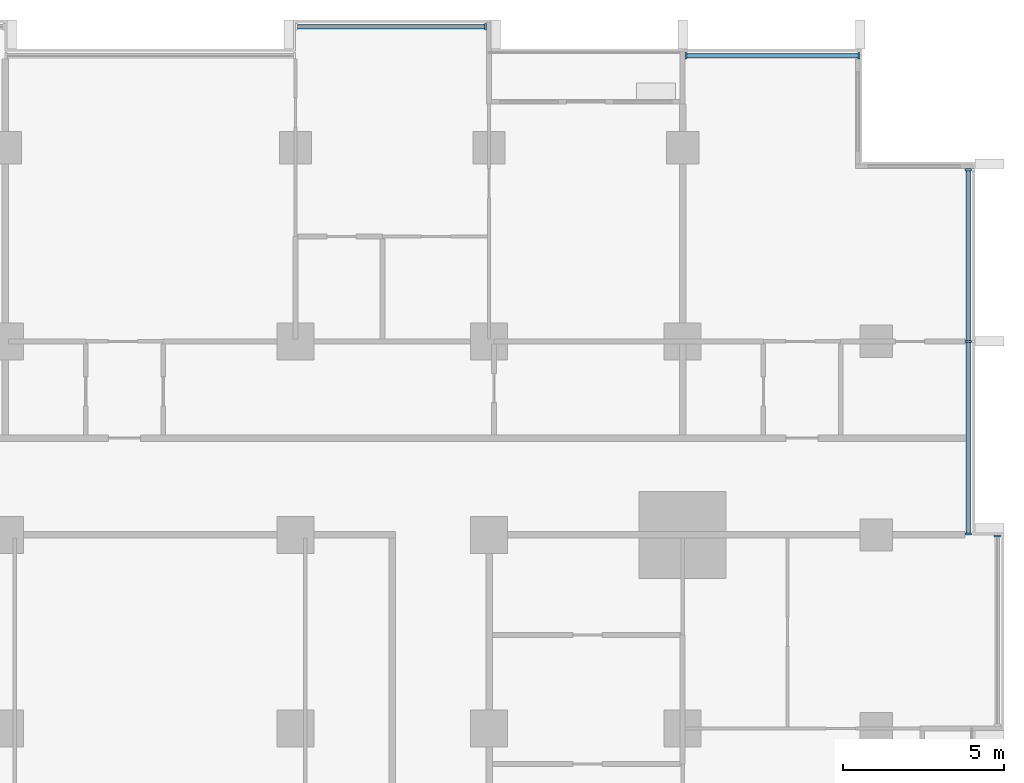
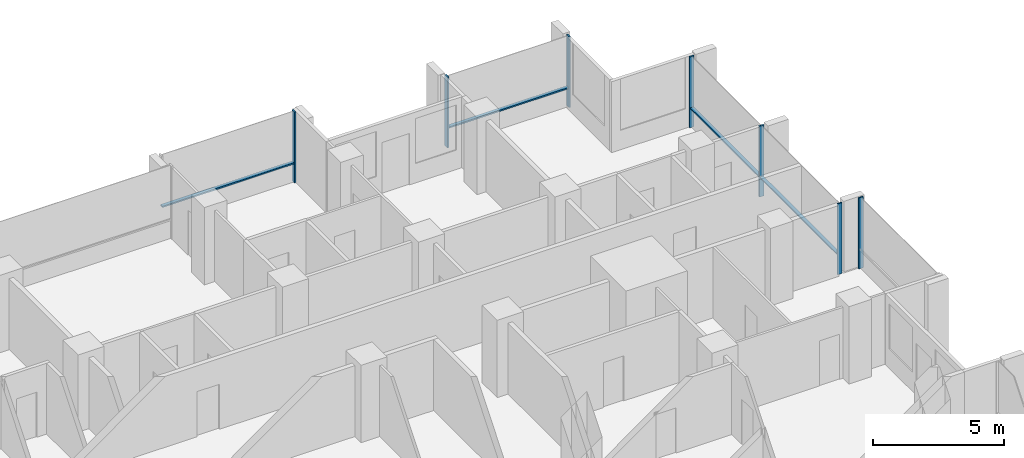
# One storey, part 5 of 18: 11 members, 4 elements without a shape of their own.
"""IFC4 building model written with IfcOpenShell, lengths in metres."""

from ifc_helpers import new_model, si_unit, direction, frame, origin, origin_2d, place, context, subcontext, project, spatial, rectangle, extrude, material, material_profile, profile_set, type_object, element, aggregate, save


model = new_model("IFC4")

# Units and contexts
model_context = context("Model", 3, precision=1e-05, world=origin(), true_north=direction((0.0, 1.0)))
body_context = subcontext(model_context, "Body", "Model", "MODEL_VIEW")
ifc_project = project(units=[si_unit("LENGTHUNIT", "METRE"), si_unit("AREAUNIT", "SQUARE_METRE"), si_unit("VOLUMEUNIT", "CUBIC_METRE"), si_unit("PLANEANGLEUNIT", "RADIAN"), si_unit("MASSUNIT", "GRAM", prefix="KILO")], contexts=[model_context])

# Site, building, storey
site_placement = place(None, origin())
site = spatial("IfcSite", under=ifc_project, at=site_placement, CompositionType="ELEMENT")
building_placement = place(site_placement, origin())
building = spatial("IfcBuilding", under=site, at=building_placement, Name="Finial Court Residences", CompositionType="ELEMENT")
storey_placement = place(building_placement, frame((0.0, 0.0, 84.699951171875)))
storey = spatial("IfcBuildingStorey", under=building, at=storey_placement, Name="L20", CompositionType="ELEMENT", Elevation=84.699951171875)

# Curtain wall, member
ifc_material = material(Name="Bronze anodised aluminium", Category="aluminium")
curtain_wall_type = type_object("IfcCurtainWallType", Name="Unitised curtain wall, lower and middle zones", PredefinedType="NOTDEFINED", material=ifc_material)
curtain_wall_1_placement = place(storey_placement, origin())
curtain_wall_1 = element("IfcCurtainWall", 1, at=curtain_wall_1_placement, inside=storey, type_object=curtain_wall_type, Name="E-L20-CW-N4", PredefinedType="NOTDEFINED")
ifc_material_profile_1 = material_profile(ifc_material, rectangle(XDim=0.199951171875, YDim=0.06494140625, at=origin_2d()), Name="CW1 mullion 65 x 200")
ifc_profile_set_1 = profile_set([ifc_material_profile_1], Name="Bronze anodised aluminium")
member_type_1 = type_object("IfcMemberType", Name="CW1 mullion 65 x 200", PredefinedType="MULLION", material=ifc_profile_set_1)
member_1_placement = place(storey_placement, frame((10.392578125, 23.25, 0.0), z_axis=(0.0, 0.0, 1.0), x_axis=(0.0, 1.0, 0.0)))
member_1 = element("IfcMember", 2, at=member_1_placement, type_object=member_type_1, Name="CW1 mullion 2", PredefinedType="MULLION", context=body_context, shape_type="SweptSolid", body=[
    extrude(rectangle(XDim=0.199951171875, YDim=0.06494140625, at=origin_2d()), origin(), (0.0, 0.0, 1.0), 3.300048828125),
])

# Curtain wall, members
curtain_wall_2_placement = place(storey_placement, origin())
curtain_wall_2 = element("IfcCurtainWall", 3, at=curtain_wall_2_placement, inside=storey, type_object=curtain_wall_type, Name="E-L20-CW-N5", PredefinedType="NOTDEFINED")
member_2_placement = place(storey_placement, frame((16.607421875, 22.35009765625, 0.0), z_axis=(0.0, 0.0, 1.0), x_axis=(0.0, 1.0, 0.0)))
member_2 = element("IfcMember", 4, at=member_2_placement, type_object=member_type_1, Name="CW1 mullion 1", PredefinedType="MULLION", context=body_context, shape_type="SweptSolid", body=[
    extrude(rectangle(XDim=0.199951171875, YDim=0.06494140625, at=origin_2d()), origin(), (0.0, 0.0, 1.0), 3.300048828125),
])
member_3_placement = place(storey_placement, frame((21.967529296875, 22.35009765625, 0.0), z_axis=(0.0, 0.0, 1.0), x_axis=(0.0, 1.0, 0.0)))
member_3 = element("IfcMember", 5, at=member_3_placement, type_object=member_type_1, Name="CW1 mullion 2", PredefinedType="MULLION", context=body_context, shape_type="SweptSolid", body=[
    extrude(rectangle(XDim=0.199951171875, YDim=0.06494140625, at=origin_2d()), origin(), (0.0, 0.0, 1.0), 3.300048828125),
])

# Curtain wall, member
curtain_wall_3_placement = place(storey_placement, origin())
curtain_wall_3 = element("IfcCurtainWall", 6, at=curtain_wall_3_placement, inside=storey, type_object=curtain_wall_type, Name="E-L20-CW-E7", PredefinedType="NOTDEFINED")
member_4_placement = place(storey_placement, frame((26.25, 7.467529296875, 0.0), z_axis=(0.0, 0.0, 1.0), x_axis=(-1.0, 0.0, 0.0)))
member_4 = element("IfcMember", 7, at=member_4_placement, type_object=member_type_1, Name="CW1 mullion 2", PredefinedType="MULLION", context=body_context, shape_type="SweptSolid", body=[
    extrude(rectangle(XDim=0.199951171875, YDim=0.06494140625, at=origin_2d()), origin(), (0.0, 0.0, 1.0), 3.300048828125),
])
aggregate(curtain_wall_3, [member_4])

# Curtain wall, members
curtain_wall_4_placement = place(storey_placement, origin())
curtain_wall_4 = element("IfcCurtainWall", 8, at=curtain_wall_4_placement, inside=storey, type_object=curtain_wall_type, Name="E-L20-CW-E8", PredefinedType="NOTDEFINED")
member_5_placement = place(storey_placement, frame((25.35009765625, 7.532470703125, 0.0), z_axis=(0.0, 0.0, 1.0), x_axis=(-1.0, 0.0, 0.0)))
member_5 = element("IfcMember", 9, at=member_5_placement, type_object=member_type_1, Name="CW1 mullion 1", PredefinedType="MULLION", context=body_context, shape_type="SweptSolid", body=[
    extrude(rectangle(XDim=0.199951171875, YDim=0.06494140625, at=origin_2d()), origin(), (0.0, 0.0, 1.0), 3.300048828125),
])
member_6_placement = place(storey_placement, frame((25.35009765625, 13.5, 0.0), z_axis=(0.0, 0.0, 1.0), x_axis=(-1.0, 0.0, 0.0)))
member_6 = element("IfcMember", 10, at=member_6_placement, type_object=member_type_1, Name="CW1 mullion 2", PredefinedType="MULLION", context=body_context, shape_type="SweptSolid", body=[
    extrude(rectangle(XDim=0.199951171875, YDim=0.06494140625, at=origin_2d()), origin(), (0.0, 0.0, 1.0), 3.300048828125),
])
member_7_placement = place(storey_placement, frame((25.35009765625, 18.8173828125, 0.0), z_axis=(0.0, 0.0, 1.0), x_axis=(-1.0, 0.0, 0.0)))
member_7 = element("IfcMember", 11, at=member_7_placement, type_object=member_type_1, Name="CW1 mullion 3", PredefinedType="MULLION", context=body_context, shape_type="SweptSolid", body=[
    extrude(rectangle(XDim=0.199951171875, YDim=0.06494140625, at=origin_2d()), origin(), (0.0, 0.0, 1.0), 3.300048828125),
])

# Member
ifc_material_profile_2 = material_profile(ifc_material, rectangle(XDim=0.14990234375, YDim=0.06494140625, at=origin_2d()), Name="CW1 transom 65 x 150")
ifc_profile_set_2 = profile_set([ifc_material_profile_2], Name="Bronze anodised aluminium")
member_type_2 = type_object("IfcMemberType", Name="CW1 transom 65 x 150", PredefinedType="USERDEFINED", material=ifc_profile_set_2)
member_8_placement = place(storey_placement, frame((4.56494140625, 23.25, 0.900146484375), z_axis=(1.0, 0.0, 0.0), x_axis=(0.0, 1.0, 0.0)))
member_8 = element("IfcMember", 12, at=member_8_placement, type_object=member_type_2, Name="CW1 transom 1.1", ObjectType="TRANSOM", PredefinedType="USERDEFINED", context=body_context, shape_type="SweptSolid", body=[
    extrude(rectangle(XDim=0.14990234375, YDim=0.06494140625, at=origin_2d()), origin(), (0.0, 0.0, 1.0), 5.795166015625),
])

aggregate(curtain_wall_1, [member_1, member_8])

member_9_placement = place(storey_placement, frame((16.639892578125, 22.35009765625, 0.900146484375), z_axis=(1.0, 0.0, 0.0), x_axis=(0.0, 1.0, 0.0)))
member_9 = element("IfcMember", 13, at=member_9_placement, type_object=member_type_2, Name="CW1 transom 1.1", ObjectType="TRANSOM", PredefinedType="USERDEFINED", context=body_context, shape_type="SweptSolid", body=[
    extrude(rectangle(XDim=0.14990234375, YDim=0.06494140625, at=origin_2d()), origin(), (0.0, 0.0, 1.0), 5.295166015625),
])

aggregate(curtain_wall_2, [member_2, member_3, member_9])

member_10_placement = place(storey_placement, frame((25.35009765625, 7.56494140625, 0.900146484375), z_axis=(0.0, 1.0, 0.0), x_axis=(-1.0, 0.0, 0.0)))
member_10 = element("IfcMember", 14, at=member_10_placement, type_object=member_type_2, Name="CW1 transom 1.1", ObjectType="TRANSOM", PredefinedType="USERDEFINED", context=body_context, shape_type="SweptSolid", body=[
    extrude(rectangle(XDim=0.14990234375, YDim=0.06494140625, at=origin_2d()), origin(), (0.0, 0.0, 1.0), 5.902587890625),
])

member_11_placement = place(storey_placement, frame((25.35009765625, 13.532470703125, 0.900146484375), z_axis=(0.0, 1.0, 0.0), x_axis=(-1.0, 0.0, 0.0)))
member_11 = element("IfcMember", 15, at=member_11_placement, type_object=member_type_2, Name="CW1 transom 2.1", ObjectType="TRANSOM", PredefinedType="USERDEFINED", context=body_context, shape_type="SweptSolid", body=[
    extrude(rectangle(XDim=0.14990234375, YDim=0.06494140625, at=origin_2d()), origin(), (0.0, 0.0, 1.0), 5.25244140625),
])

aggregate(curtain_wall_4, [member_5, member_6, member_7, member_10, member_11])

save(model, "model.ifc")
